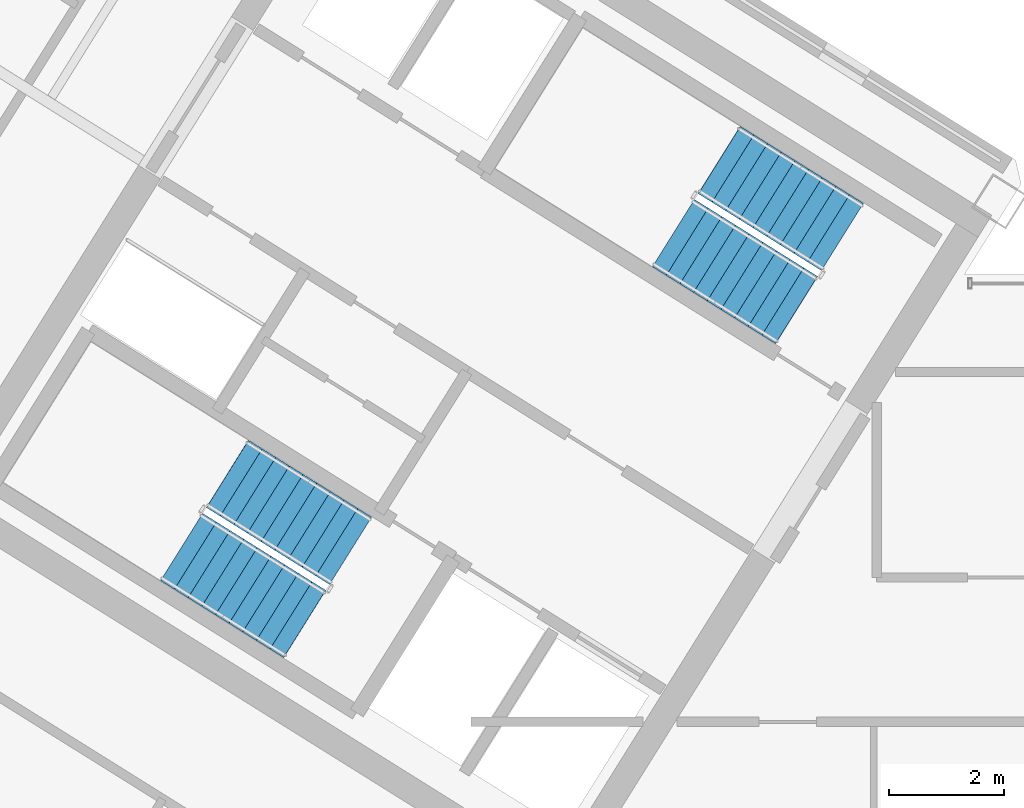
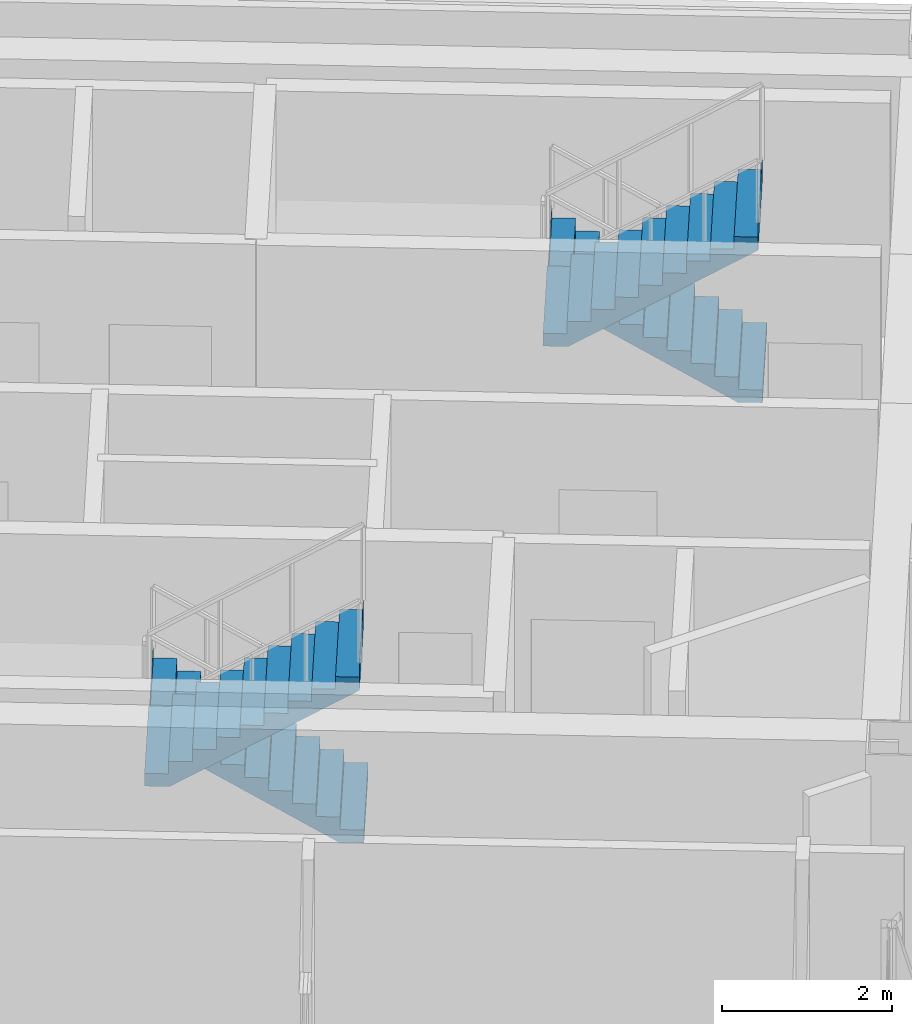
# One storey, part 10 of 14: 4 stair flights, 2 elements without a shape of their own.
"""IFC4 building model written with IfcOpenShell, lengths in metres."""

from ifc_helpers import new_model, si_unit, direction, frame, origin, place, context, subcontext, project, spatial, polyline, outline, extrude, source, transform, mapped, material, type_object, element, aggregate, save


model = new_model("IFC4")

# Units and contexts
model_context = context("Model", 3, precision=1e-05, world=origin(), true_north=direction((0.0, 1.0)))
body_context = subcontext(model_context, "Body", "Model", "MODEL_VIEW")
ifc_project = project(units=[si_unit("LENGTHUNIT", "METRE"), si_unit("AREAUNIT", "SQUARE_METRE"), si_unit("VOLUMEUNIT", "CUBIC_METRE"), si_unit("PLANEANGLEUNIT", "RADIAN"), si_unit("MASSUNIT", "GRAM", prefix="KILO")], contexts=[model_context])

# Site, building, storey
site_placement = place(None, origin())
site = spatial("IfcSite", under=ifc_project, at=site_placement, CompositionType="ELEMENT")
building_placement = place(site_placement, origin())
building = spatial("IfcBuilding", under=site, at=building_placement, Name="Tlacorven Tower", CompositionType="ELEMENT")
storey_placement = place(building_placement, frame((0.0, 0.0, 284.39990234375)))
storey = spatial("IfcBuildingStorey", under=building, at=storey_placement, Name="L72", CompositionType="ELEMENT", Elevation=284.39990234375)

# Stair, stair flights
ifc_material = material(Name="Concrete C40/50", Category="concrete")
stair_type = type_object("IfcStairType", Name="ST-CORE-DLG", PredefinedType="HALF_TURN_STAIR", material=ifc_material)
stair_1_placement = place(storey_placement, origin())
stair_1 = element("IfcStair", 1, at=stair_1_placement, inside=storey, type_object=stair_type, Name="L72 Protected Exit Stair West 1", PredefinedType="HALF_TURN_STAIR")
stair_flight_type = type_object("IfcStairFlightType", Name="SFL-RC-1380", PredefinedType="STRAIGHT", material=ifc_material)
shared_shape = source(origin(), body_context, "Body", "SweptSolid", [
    extrude(outline(polyline([(-0.0029296875, -0.0029296875), (-0.0029296875, 0.179931640625), (0.280029296875, 0.179931640625), (0.280029296875, 0.360107421875), (0.56005859375, 0.360107421875), (0.56005859375, 0.5400390625), (0.840087890625, 0.5400390625), (0.840087890625, 0.719970703125), (1.1201171875, 0.719970703125), (1.1201171875, 0.89990234375), (1.39990234375, 0.89990234375), (1.39990234375, 1.080078125), (1.679931640625, 1.080078125), (1.679931640625, 1.260009765625), (1.9599609375, 1.260009765625), (1.9599609375, 1.43994140625), (2.239990234375, 1.43994140625), (2.239990234375, 1.6201171875), (2.52001953125, 1.6201171875), (2.52001953125, 1.800048828125), (2.52294921875, 1.800048828125), (2.52294921875, 1.429931640625), (2.52001953125, 1.429931640625), (0.295654296875, 0.0), (0.295654296875, -0.0029296875), (-0.0029296875, -0.0029296875)])), frame((0.0, 0.68994140625, 0.0), z_axis=(0.0, -1.0, 0.0), x_axis=(1.0, 0.0, 0.0)), (0.0, 0.0, 1.0), 1.3798828125),
])
stair_flight_1_placement = place(storey_placement, frame((29.499755859375, 18.39453125, 0.0), z_axis=(0.0, 0.0, 1.0), x_axis=(-0.848048096156, 0.529919264233, 0.0)))
stair_flight_1 = element("IfcStairFlight", 2, at=stair_flight_1_placement, type_object=stair_flight_type, Name="ST-W1 flight 1", NumberOfRisers=10, NumberOfTreads=9, PredefinedType="STRAIGHT", RiserHeight=0.18, TreadLength=0.28, context=body_context, shape_type="MappedRepresentation", body=[
    mapped(shared_shape, transform((0.0, 0.0, 0.0), scale=1.0)),
])
stair_flight_2_placement = place(storey_placement, frame((26.56787109375, 18.4580078125, 1.800048828125), z_axis=(0.0, 0.0, 1.0), x_axis=(0.848048096156, -0.529919264233, 0.0)))
stair_flight_2 = element("IfcStairFlight", 3, at=stair_flight_2_placement, type_object=stair_flight_type, Name="ST-W1 flight 2", NumberOfRisers=10, NumberOfTreads=9, PredefinedType="STRAIGHT", RiserHeight=0.18, TreadLength=0.28, context=body_context, shape_type="MappedRepresentation", body=[
    mapped(shared_shape, transform((0.0, 0.0, 0.0), scale=1.0)),
])
aggregate(stair_1, [stair_flight_1, stair_flight_2])

stair_2_placement = place(storey_placement, origin())
stair_2 = element("IfcStair", 4, at=stair_2_placement, inside=storey, type_object=stair_type, Name="L72 Protected Exit Stair West 2", PredefinedType="HALF_TURN_STAIR")
stair_flight_3_placement = place(storey_placement, frame((38.051513671875, 23.852294921875, 0.0), z_axis=(0.0, 0.0, 1.0), x_axis=(-0.848048096156, 0.529919264233, 0.0)))
stair_flight_3 = element("IfcStairFlight", 5, at=stair_flight_3_placement, type_object=stair_flight_type, Name="ST-W2 flight 1", NumberOfRisers=10, NumberOfTreads=9, PredefinedType="STRAIGHT", RiserHeight=0.18, TreadLength=0.28, context=body_context, shape_type="MappedRepresentation", body=[
    mapped(shared_shape, transform((0.0, 0.0, 0.0), scale=1.0)),
])
stair_flight_4_placement = place(storey_placement, frame((35.119384765625, 23.91552734375, 1.800048828125), z_axis=(0.0, 0.0, 1.0), x_axis=(0.848048096156, -0.529919264233, 0.0)))
stair_flight_4 = element("IfcStairFlight", 6, at=stair_flight_4_placement, type_object=stair_flight_type, Name="ST-W2 flight 2", NumberOfRisers=10, NumberOfTreads=9, PredefinedType="STRAIGHT", RiserHeight=0.18, TreadLength=0.28, context=body_context, shape_type="MappedRepresentation", body=[
    mapped(shared_shape, transform((0.0, 0.0, 0.0), scale=1.0)),
])
aggregate(stair_2, [stair_flight_3, stair_flight_4])

save(model, "model.ifc")
